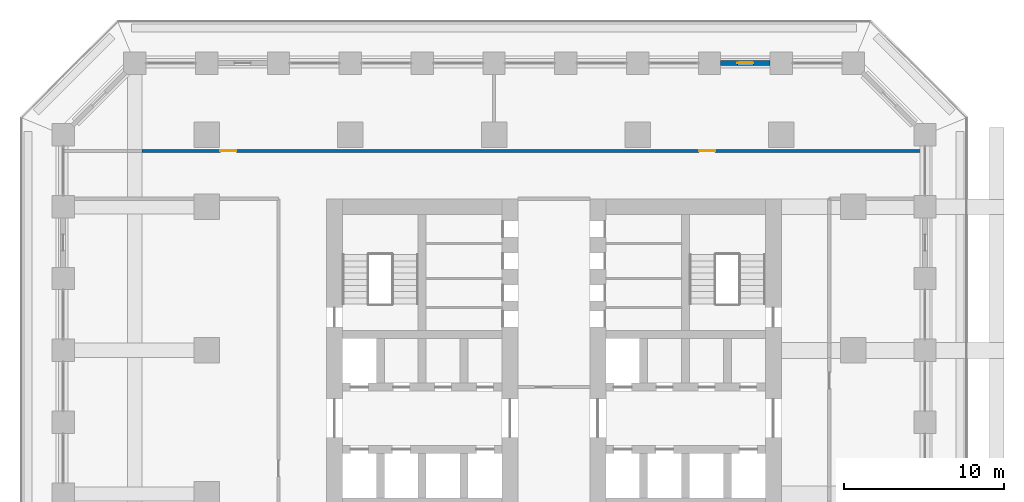
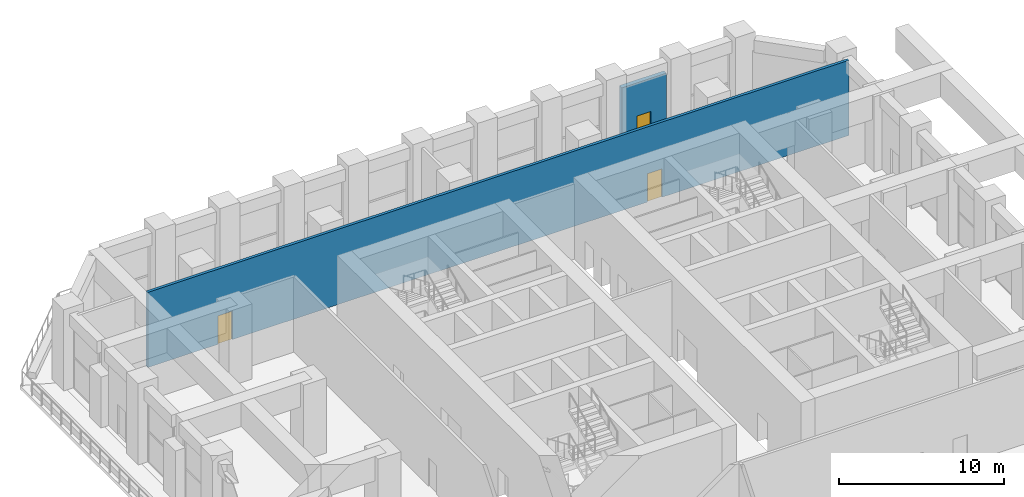
# One storey, part 15 of 21: 3 doors, 2 walls, 3 openings.
"""IFC4 building model written with IfcOpenShell, lengths in metres."""

from ifc_helpers import new_model, si_unit, direction, frame, frame_2d, origin, place, context, subcontext, project, spatial, rectangle, extrude, material, layer, layer_set, type_object, element, fill, save


model = new_model("IFC4")

# Units and contexts
model_context = context("Model", 3, precision=1e-05, world=origin(), true_north=direction((0.0, 1.0)))
body_context = subcontext(model_context, "Body", "Model", "MODEL_VIEW")
ifc_project = project(units=[si_unit("LENGTHUNIT", "METRE"), si_unit("AREAUNIT", "SQUARE_METRE"), si_unit("VOLUMEUNIT", "CUBIC_METRE"), si_unit("PLANEANGLEUNIT", "RADIAN"), si_unit("MASSUNIT", "GRAM", prefix="KILO")], contexts=[model_context])

# Site, building, storey
site_placement = place(None, origin())
site = spatial("IfcSite", under=ifc_project, at=site_placement, CompositionType="ELEMENT")
building_placement = place(site_placement, origin())
building = spatial("IfcBuilding", under=site, at=building_placement, Name="Corbel Stack Research Tower", CompositionType="ELEMENT")
storey_placement = place(building_placement, frame((0.0, 0.0, 35.89990234375)))
storey = spatial("IfcBuildingStorey", under=building, at=storey_placement, Name="L08", CompositionType="ELEMENT", Elevation=35.89990234375)

# Wall, openings, doors
ifc_material_1 = material(Name="Fire-rated gypsum board partition on steel studs", Category="steel")
ifc_layer_1 = layer(ifc_material_1, 0.199951171875)
ifc_layer_set_1 = layer_set([ifc_layer_1], Name="Fire-rated gypsum board partition on steel studs")
wall_type_1 = type_object("IfcWallType", Name="Fire-rated partition 200 EI 60", PredefinedType="PARTITIONING", material=ifc_layer_set_1)
wall_1_placement = place(storey_placement, frame((-22.050048828125, 21.5, 0.0), z_axis=(0.0, 0.0, 1.0), x_axis=(1.0, 0.0, 0.0)))
wall_1 = element("IfcWall", 1, at=wall_1_placement, inside=storey, type_object=wall_type_1, Name="Partition L08-028", PredefinedType="PARTITIONING", context=body_context, shape_type="SweptSolid", body=[
    extrude(rectangle(XDim=48.969970703125, YDim=0.199951171875, at=frame_2d((24.48486328125, 0.0))), origin(), (0.0, 0.0, 1.0), 5.550048828125),
])
opening_1_placement = place(wall_1_placement, frame((4.89990234375, 0.0, 0.0)))
opening_1 = element("IfcOpeningElement", 2, at=opening_1_placement, cuts=wall_1, Name="Opening B1AM-006", PredefinedType="OPENING", context=body_context, shape_type="SweptSolid", body=[
    extrude(rectangle(XDim=1.0, YDim=2.10009765625, at=frame_2d((0.5, 1.050048828125))), frame((0.0, 0.10986328125, 0.0), z_axis=(0.0, -1.0, 0.0), x_axis=(1.0, 0.0, 0.0)), (0.0, 0.0, 1.0), 0.219970703125),
])
opening_2_placement = place(wall_1_placement, frame((34.89990234375, 0.0, 0.0)))
opening_2 = element("IfcOpeningElement", 3, at=opening_2_placement, cuts=wall_1, Name="Opening B1AM-007", PredefinedType="OPENING", context=body_context, shape_type="SweptSolid", body=[
    extrude(rectangle(XDim=1.0, YDim=2.10009765625, at=frame_2d((0.5, 1.050048828125))), frame((0.0, 0.10986328125, 0.0), z_axis=(0.0, -1.0, 0.0), x_axis=(1.0, 0.0, 0.0)), (0.0, 0.0, 1.0), 0.219970703125),
])
ifc_material_2 = material(Name="Painted steel fire door", Category="steel")
door_type_1 = type_object("IfcDoorType", Name="Fire door FD30S 1000 x 2100", OperationType="NOTDEFINED", PredefinedType="DOOR", material=ifc_material_2)
door_1_placement = place(opening_1_placement, origin())
door_1 = element("IfcDoor", 4, at=door_1_placement, inside=storey, type_object=door_type_1, Name="Door B1AM-006", OperationType="SINGLE_SWING_LEFT", OverallHeight=2.10009765625, OverallWidth=1.0, PredefinedType="DOOR", context=body_context, shape_type="SweptSolid", body=[
    extrude(rectangle(XDim=1.0, YDim=2.10009765625, at=frame_2d((0.5, 1.050048828125))), frame((0.0, 0.02490234375, 0.0), z_axis=(0.0, -1.0, 0.0), x_axis=(1.0, 0.0, 0.0)), (0.0, 0.0, 1.0), 0.050048828125),
])
fill(opening_1, door_1)
door_2_placement = place(opening_2_placement, origin())
door_2 = element("IfcDoor", 5, at=door_2_placement, inside=storey, type_object=door_type_1, Name="Door B1AM-007", OperationType="SINGLE_SWING_RIGHT", OverallHeight=2.10009765625, OverallWidth=1.0, PredefinedType="DOOR", context=body_context, shape_type="SweptSolid", body=[
    extrude(rectangle(XDim=1.0, YDim=2.10009765625, at=frame_2d((0.5, 1.050048828125))), frame((0.0, 0.02490234375, 0.0), z_axis=(0.0, -1.0, 0.0), x_axis=(1.0, 0.0, 0.0)), (0.0, 0.0, 1.0), 0.050048828125),
])
fill(opening_2, door_2)

# Wall, opening, door
ifc_material_3 = material(Name="Concrete C45/55", Category="concrete")
ifc_layer_2 = layer(ifc_material_3, 0.300048828125)
ifc_layer_set_2 = layer_set([ifc_layer_2], Name="Concrete C45/55")
wall_type_2 = type_object("IfcWallType", Name="Terracotta-faced concrete wall 300", PredefinedType="SOLIDWALL", material=ifc_layer_set_2)
wall_2_placement = place(storey_placement, frame((14.199951171875, 27.0, 0.0), z_axis=(0.0, 0.0, 1.0), x_axis=(1.0, 0.0, 0.0)))
wall_2 = element("IfcWall", 6, at=wall_2_placement, inside=storey, type_object=wall_type_2, Name="Facade wall L08 N02", PredefinedType="SOLIDWALL", context=body_context, shape_type="SweptSolid", body=[
    extrude(rectangle(XDim=3.10009765625, YDim=0.300048828125, at=frame_2d((1.550048828125, 0.0))), origin(), (0.0, 0.0, 1.0), 4.650146484375),
])
opening_3_placement = place(wall_2_placement, frame((1.050048828125, 0.0, 0.0)))
opening_3 = element("IfcOpeningElement", 7, at=opening_3_placement, cuts=wall_2, Name="Opening L08-B07", PredefinedType="OPENING", context=body_context, shape_type="SweptSolid", body=[
    extrude(rectangle(XDim=1.0, YDim=2.199951171875, at=frame_2d((0.5, 1.10009765625))), frame((0.0, 0.159912109375, 0.0), z_axis=(0.0, -1.0, 0.0), x_axis=(1.0, 0.0, 0.0)), (0.0, 0.0, 1.0), 0.320068359375),
])
ifc_material_4 = material(Name="Aluminium frame, clear double glazing", Category="aluminium")
door_type_2 = type_object("IfcDoorType", Name="Balcony door BD1 1000 x 2200", OperationType="NOTDEFINED", PredefinedType="DOOR", material=ifc_material_4)
door_3_placement = place(opening_3_placement, origin())
door_3 = element("IfcDoor", 8, at=door_3_placement, inside=storey, type_object=door_type_2, Name="Balcony door L08-B07", OperationType="SINGLE_SWING_RIGHT", OverallHeight=2.199951171875, OverallWidth=1.0, PredefinedType="DOOR", context=body_context, shape_type="SweptSolid", body=[
    extrude(rectangle(XDim=1.0, YDim=2.199951171875, at=frame_2d((0.5, 1.10009765625))), frame((0.0, 0.02490234375, 0.0), z_axis=(0.0, -1.0, 0.0), x_axis=(1.0, 0.0, 0.0)), (0.0, 0.0, 1.0), 0.050048828125),
])
fill(opening_3, door_3)

save(model, "model.ifc")
